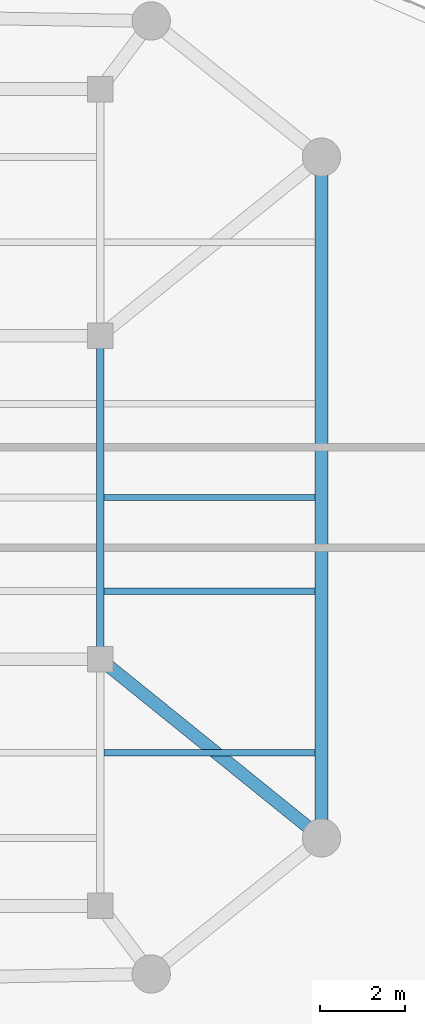
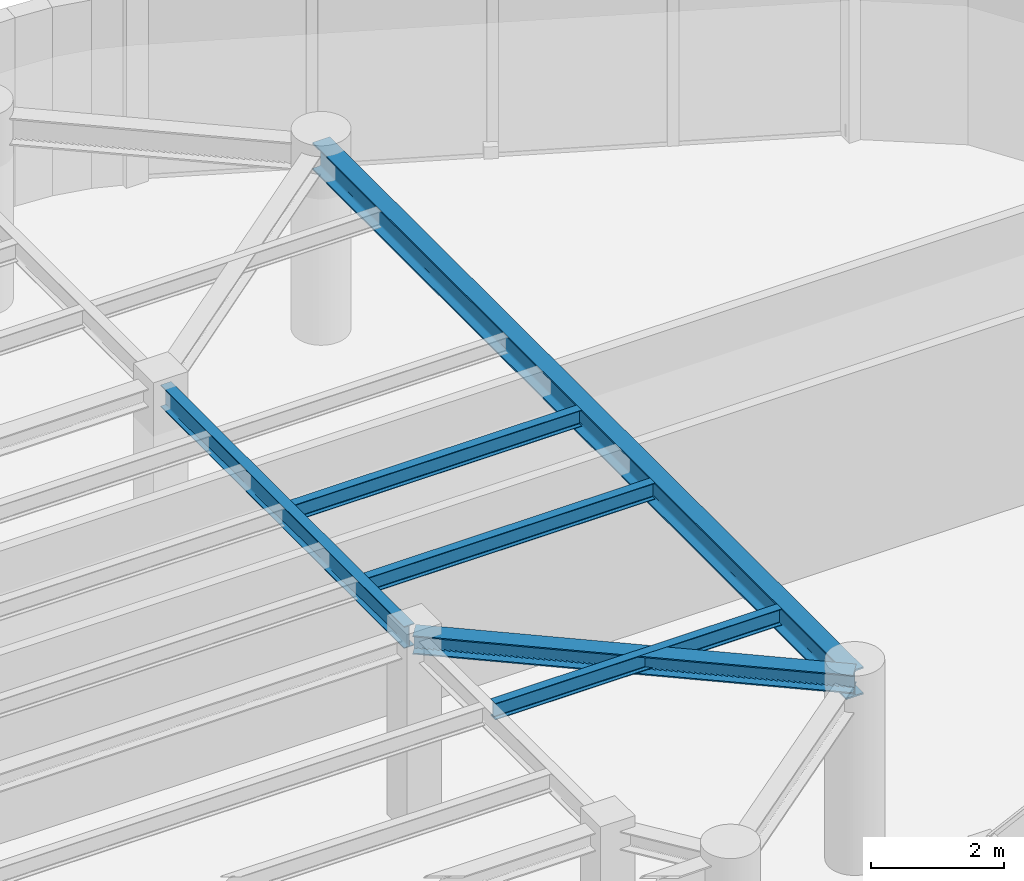
# One storey, part 3 of 12: 6 beams.
"""IFC4 building model written with IfcOpenShell, lengths in metres."""

from ifc_helpers import new_model, si_unit, direction, frame, origin, origin_2d, place, context, subcontext, project, spatial, i_section, extrude, material, material_profile, profile_set, type_object, element, save


model = new_model("IFC4")

# Units and contexts
model_context = context("Model", 3, precision=1e-05, world=origin(), true_north=direction((0.0, 1.0)))
body_context = subcontext(model_context, "Body", "Model", "MODEL_VIEW")
ifc_project = project(units=[si_unit("LENGTHUNIT", "METRE"), si_unit("AREAUNIT", "SQUARE_METRE"), si_unit("VOLUMEUNIT", "CUBIC_METRE"), si_unit("PLANEANGLEUNIT", "RADIAN"), si_unit("MASSUNIT", "GRAM", prefix="KILO")], contexts=[model_context])

# Site, building, storey
site_placement = place(None, origin())
site = spatial("IfcSite", under=ifc_project, at=site_placement, CompositionType="ELEMENT")
building_placement = place(site_placement, origin())
building = spatial("IfcBuilding", under=site, at=building_placement, Name="An Khanh Terracotta Commons", CompositionType="ELEMENT")
storey_placement = place(building_placement, frame((0.0, 0.0, 269.75)))
storey = spatial("IfcBuildingStorey", under=building, at=storey_placement, Name="L70", CompositionType="ELEMENT", Elevation=269.75)

# Beams
ifc_material = material(Name="Steel S355J2", Category="steel")
ifc_material_profile_1 = material_profile(ifc_material, i_section(OverallWidth=0.300048828125, OverallDepth=0.340087890625, WebThickness=0.011962890625, FlangeThickness=0.021484375, FilletRadius=0.027099609375, at=origin_2d()), Name="HEB340")
ifc_profile_set_1 = profile_set([ifc_material_profile_1], Name="Steel S355J2")
beam_type_1 = type_object("IfcBeamType", Name="BM-HEB340", PredefinedType="BEAM", material=ifc_profile_set_1)
beam_1_placement = place(storey_placement, frame((63.39990234375, 16.0, 3.280029296875), z_axis=(-0.777941866883, 0.628336256913, 0.0), x_axis=(-0.628336256913, -0.777941866883, 0.0)))
element("IfcBeam", 1, at=beam_1_placement, inside=storey, type_object=beam_type_1, Name="L70 Mega-Column Tie Girder 3", PredefinedType="BEAM", context=body_context, shape_type="SweptSolid", body=[
    extrude(i_section(OverallWidth=0.300048828125, OverallDepth=0.340087890625, WebThickness=0.011962890625, FlangeThickness=0.021484375, FilletRadius=0.027099609375, at=origin_2d()), origin(), (0.0, 0.0, 1.0), 6.684326171875),
])
ifc_material_profile_2 = material_profile(ifc_material, i_section(OverallWidth=0.300048828125, OverallDepth=0.5, WebThickness=0.014404296875, FlangeThickness=0.028076171875, FilletRadius=0.027099609375, at=origin_2d()), Name="HEB500")
ifc_profile_set_2 = profile_set([ifc_material_profile_2], Name="Steel S355J2")
beam_type_2 = type_object("IfcBeamType", Name="BM-HEB500", PredefinedType="BEAM", material=ifc_profile_set_2)
beam_2_placement = place(storey_placement, frame((63.39990234375, 16.0, 3.199951171875), z_axis=(0.0, 1.0, 0.0), x_axis=(-1.0, 0.0, 0.0)))
element("IfcBeam", 2, at=beam_2_placement, inside=storey, type_object=beam_type_2, Name="L70 Perimeter Ring Spandrel 3", PredefinedType="BEAM", context=body_context, shape_type="SweptSolid", body=[
    extrude(i_section(OverallWidth=0.300048828125, OverallDepth=0.5, WebThickness=0.014404296875, FlangeThickness=0.028076171875, FilletRadius=0.027099609375, at=origin_2d()), origin(), (0.0, 0.0, 1.0), 16.0),
])
ifc_material_profile_3 = material_profile(ifc_material, i_section(OverallWidth=0.14990234375, OverallDepth=0.300048828125, WebThickness=0.007080078125, FlangeThickness=0.0107421875, FilletRadius=0.014892578125, at=origin_2d()), Name="IPE300")
ifc_profile_set_3 = profile_set([ifc_material_profile_3], Name="Steel S355J2")
beam_type_3 = type_object("IfcBeamType", Name="BM-IPE300", PredefinedType="JOIST", material=ifc_profile_set_3)
for number, where, z_axis, x_axis, name in (
    (3, (58.2900390625, 18.0, 3.300048828125), (1.0, 0.0, 0.0), (0.0, 1.0, 0.0), "L70 Riverfront Composite Joist 2"),
    (4, (58.2900390625, 21.800048828125, 3.300048828125), (1.0, 0.0, 0.0), (0.0, 1.0, 0.0), "L70 Riverfront Composite Joist 3"),
    (5, (58.2900390625, 24.0, 3.300048828125), (1.0, 0.0, 0.0), (0.0, 1.0, 0.0), "L70 Riverfront Composite Joist 4"),
):
    element("IfcBeam", number, at=place(storey_placement, frame(where, z_axis=z_axis, x_axis=x_axis)), inside=storey, type_object=beam_type_3, Name=name, PredefinedType="JOIST", context=body_context, shape_type="SweptSolid", body=[
        extrude(i_section(OverallWidth=0.14990234375, OverallDepth=0.300048828125, WebThickness=0.007080078125, FlangeThickness=0.0107421875, FilletRadius=0.014892578125, at=origin_2d()), origin(), (0.0, 0.0, 1.0), 4.9599609375),
    ])
ifc_material_profile_4 = material_profile(ifc_material, i_section(OverallWidth=0.179931640625, OverallDepth=0.39990234375, WebThickness=0.008544921875, FlangeThickness=0.013427734375, FilletRadius=0.02099609375, at=origin_2d()), Name="IPE400")
ifc_profile_set_4 = profile_set([ifc_material_profile_4], Name="Steel S355J2")
beam_type_4 = type_object("IfcBeamType", Name="BM-IPE400", PredefinedType="JOIST", material=ifc_profile_set_4)
beam_3_placement = place(storey_placement, frame((58.199951171875, 20.35009765625, 3.25), z_axis=(0.0, 1.0, 0.0), x_axis=(-1.0, 0.0, 0.0)))
element("IfcBeam", 6, at=beam_3_placement, inside=storey, type_object=beam_type_4, Name="L70 East Spine Girder 2", PredefinedType="JOIST", context=body_context, shape_type="SweptSolid", body=[
    extrude(i_section(OverallWidth=0.179931640625, OverallDepth=0.39990234375, WebThickness=0.008544921875, FlangeThickness=0.013427734375, FilletRadius=0.02099609375, at=origin_2d()), origin(), (0.0, 0.0, 1.0), 7.2998046875),
])

save(model, "model.ifc")
